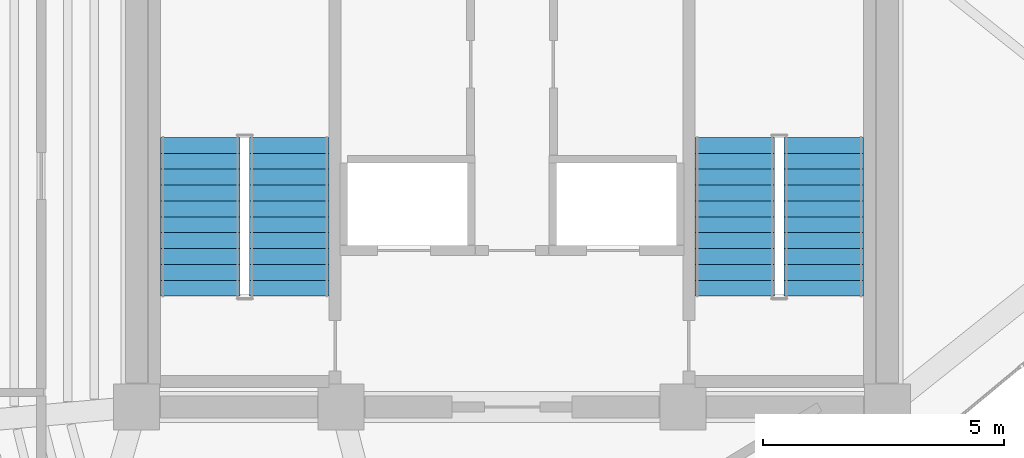
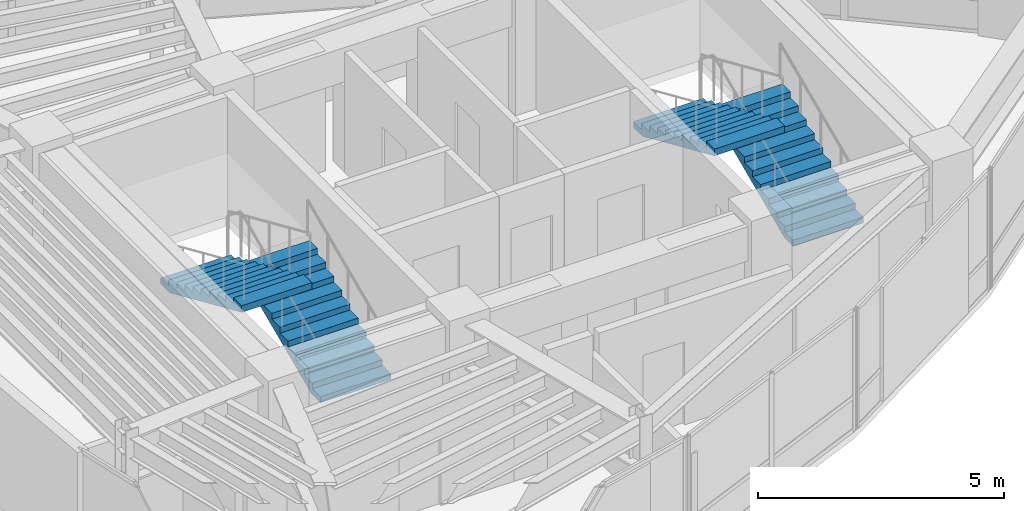
# One storey, part 13 of 14: 4 stair flights, 2 elements without a shape of their own.
"""IFC4 building model written with IfcOpenShell, lengths in metres."""

from ifc_helpers import new_model, si_unit, direction, frame, origin, place, context, subcontext, project, spatial, polyline, outline, extrude, material, type_object, element, aggregate, save


model = new_model("IFC4")

# Units and contexts
model_context = context("Model", 3, precision=1e-05, world=origin(), true_north=direction((0.0, 1.0)))
body_context = subcontext(model_context, "Body", "Model", "MODEL_VIEW")
ifc_project = project(units=[si_unit("LENGTHUNIT", "METRE"), si_unit("AREAUNIT", "SQUARE_METRE"), si_unit("VOLUMEUNIT", "CUBIC_METRE"), si_unit("PLANEANGLEUNIT", "RADIAN"), si_unit("MASSUNIT", "GRAM", prefix="KILO")], contexts=[model_context])

# Site, building, storey
site_placement = place(None, origin())
site = spatial("IfcSite", under=ifc_project, at=site_placement, CompositionType="ELEMENT")
building_placement = place(site_placement, origin())
building = spatial("IfcBuilding", under=site, at=building_placement, Name="Menara Vayukalpa", CompositionType="ELEMENT")
storey_placement = place(building_placement, frame((0.0, 0.0, 308.820068359375)))
storey = spatial("IfcBuildingStorey", under=building, at=storey_placement, Name="L79", CompositionType="ELEMENT", Elevation=308.820068359375)

# Stair, stair flights
ifc_material_1 = material(Name="Precast Concrete C40/50", Category="concrete")
stair_type = type_object("IfcStairType", Name="STR-T07", PredefinedType="DOUBLE_RETURN_STAIR", material=ifc_material_1)
stair_1_placement = place(storey_placement, origin())
stair_1 = element("IfcStair", 1, at=stair_1_placement, inside=storey, type_object=stair_type, Name="L79 Core Exit Stair ST-1", PredefinedType="DOUBLE_RETURN_STAIR")
ifc_material_2 = material(Name="Precast Concrete C40/50", Category="concrete")
stair_flight_type = type_object("IfcStairFlightType", Name="STF-T07", PredefinedType="STRAIGHT", material=ifc_material_2)
stair_flight_1_placement = place(storey_placement, frame((20.97509765625, 19.5, 0.0), z_axis=(0.0, 0.0, 1.0), x_axis=(0.0, 1.0, 0.0)))
stair_flight_1 = element("IfcStairFlight", 2, at=stair_flight_1_placement, type_object=stair_flight_type, Name="ST-1 flight 1", NumberOfRisers=11, NumberOfTreads=10, PredefinedType="STRAIGHT", RiserHeight=0.145454545, TreadLength=0.33, context=body_context, shape_type="SweptSolid", body=[
    extrude(outline(polyline([(0.0, 0.0), (0.0, 0.1455078125), (0.330078125, 0.1455078125), (0.330078125, 0.291015625), (0.659912109375, 0.291015625), (0.659912109375, 0.436279296875), (0.989990234375, 0.436279296875), (0.989990234375, 0.581787109375), (1.320068359375, 0.581787109375), (1.320068359375, 0.727294921875), (1.64990234375, 0.727294921875), (1.64990234375, 0.872802734375), (1.97998046875, 0.872802734375), (1.97998046875, 1.01806640625), (2.31005859375, 1.01806640625), (2.31005859375, 1.16357421875), (2.639892578125, 1.16357421875), (2.639892578125, 1.30908203125), (2.969970703125, 1.30908203125), (2.969970703125, 1.45458984375), (3.300048828125, 1.45458984375), (3.300048828125, 1.60009765625), (3.300048828125, 1.290771484375), (0.37158203125, 0.0), (0.0, 0.0)])), frame((0.0, 0.824951171875, 0.0), z_axis=(0.0, -1.0, 0.0), x_axis=(1.0, 0.0, 0.0)), (0.0, 0.0, 1.0), 1.64990234375),
])
stair_flight_2_placement = place(storey_placement, frame((19.125, 22.800048828125, 1.599853515625), z_axis=(0.0, 0.0, 1.0), x_axis=(0.0, -1.0, 0.0)))
stair_flight_2 = element("IfcStairFlight", 3, at=stair_flight_2_placement, type_object=stair_flight_type, Name="ST-1 flight 2", NumberOfRisers=11, NumberOfTreads=10, PredefinedType="STRAIGHT", RiserHeight=0.145454545, TreadLength=0.33, context=body_context, shape_type="SweptSolid", body=[
    extrude(outline(polyline([(0.0, 0.0), (0.0, 0.1455078125), (0.330078125, 0.1455078125), (0.330078125, 0.291015625), (0.659912109375, 0.291015625), (0.659912109375, 0.436279296875), (0.989990234375, 0.436279296875), (0.989990234375, 0.581787109375), (1.320068359375, 0.581787109375), (1.320068359375, 0.727294921875), (1.64990234375, 0.727294921875), (1.64990234375, 0.872802734375), (1.97998046875, 0.872802734375), (1.97998046875, 1.01806640625), (2.31005859375, 1.01806640625), (2.31005859375, 1.16357421875), (2.639892578125, 1.16357421875), (2.639892578125, 1.30908203125), (2.969970703125, 1.30908203125), (2.969970703125, 1.45458984375), (3.300048828125, 1.45458984375), (3.300048828125, 1.60009765625), (3.300048828125, 1.290771484375), (0.37158203125, 0.0), (0.0, 0.0)])), frame((0.0, 0.824951171875, 0.0), z_axis=(0.0, -1.0, 0.0), x_axis=(1.0, 0.0, 0.0)), (0.0, 0.0, 1.0), 1.64990234375),
])
aggregate(stair_1, [stair_flight_1, stair_flight_2])

stair_2_placement = place(storey_placement, origin())
stair_2 = element("IfcStair", 4, at=stair_2_placement, inside=storey, type_object=stair_type, Name="L79 Core Exit Stair ST-2", PredefinedType="DOUBLE_RETURN_STAIR")
stair_flight_3_placement = place(storey_placement, frame((32.074951171875, 19.5, 0.0), z_axis=(0.0, 0.0, 1.0), x_axis=(0.0, 1.0, 0.0)))
stair_flight_3 = element("IfcStairFlight", 5, at=stair_flight_3_placement, type_object=stair_flight_type, Name="ST-2 flight 1", NumberOfRisers=11, NumberOfTreads=10, PredefinedType="STRAIGHT", RiserHeight=0.145454545, TreadLength=0.33, context=body_context, shape_type="SweptSolid", body=[
    extrude(outline(polyline([(0.0, 0.0), (0.0, 0.1455078125), (0.330078125, 0.1455078125), (0.330078125, 0.291015625), (0.659912109375, 0.291015625), (0.659912109375, 0.436279296875), (0.989990234375, 0.436279296875), (0.989990234375, 0.581787109375), (1.320068359375, 0.581787109375), (1.320068359375, 0.727294921875), (1.64990234375, 0.727294921875), (1.64990234375, 0.872802734375), (1.97998046875, 0.872802734375), (1.97998046875, 1.01806640625), (2.31005859375, 1.01806640625), (2.31005859375, 1.16357421875), (2.639892578125, 1.16357421875), (2.639892578125, 1.30908203125), (2.969970703125, 1.30908203125), (2.969970703125, 1.45458984375), (3.300048828125, 1.45458984375), (3.300048828125, 1.60009765625), (3.300048828125, 1.290771484375), (0.37158203125, 0.0), (0.0, 0.0)])), frame((0.0, 0.824951171875, 0.0), z_axis=(0.0, -1.0, 0.0), x_axis=(1.0, 0.0, 0.0)), (0.0, 0.0, 1.0), 1.64990234375),
])
stair_flight_4_placement = place(storey_placement, frame((30.22509765625, 22.800048828125, 1.599853515625), z_axis=(0.0, 0.0, 1.0), x_axis=(0.0, -1.0, 0.0)))
stair_flight_4 = element("IfcStairFlight", 6, at=stair_flight_4_placement, type_object=stair_flight_type, Name="ST-2 flight 2", NumberOfRisers=11, NumberOfTreads=10, PredefinedType="STRAIGHT", RiserHeight=0.145454545, TreadLength=0.33, context=body_context, shape_type="SweptSolid", body=[
    extrude(outline(polyline([(0.0, 0.0), (0.0, 0.1455078125), (0.330078125, 0.1455078125), (0.330078125, 0.291015625), (0.659912109375, 0.291015625), (0.659912109375, 0.436279296875), (0.989990234375, 0.436279296875), (0.989990234375, 0.581787109375), (1.320068359375, 0.581787109375), (1.320068359375, 0.727294921875), (1.64990234375, 0.727294921875), (1.64990234375, 0.872802734375), (1.97998046875, 0.872802734375), (1.97998046875, 1.01806640625), (2.31005859375, 1.01806640625), (2.31005859375, 1.16357421875), (2.639892578125, 1.16357421875), (2.639892578125, 1.30908203125), (2.969970703125, 1.30908203125), (2.969970703125, 1.45458984375), (3.300048828125, 1.45458984375), (3.300048828125, 1.60009765625), (3.300048828125, 1.290771484375), (0.37158203125, 0.0), (0.0, 0.0)])), frame((0.0, 0.824951171875, 0.0), z_axis=(0.0, -1.0, 0.0), x_axis=(1.0, 0.0, 0.0)), (0.0, 0.0, 1.0), 1.64990234375),
])
aggregate(stair_2, [stair_flight_3, stair_flight_4])

save(model, "model.ifc")
